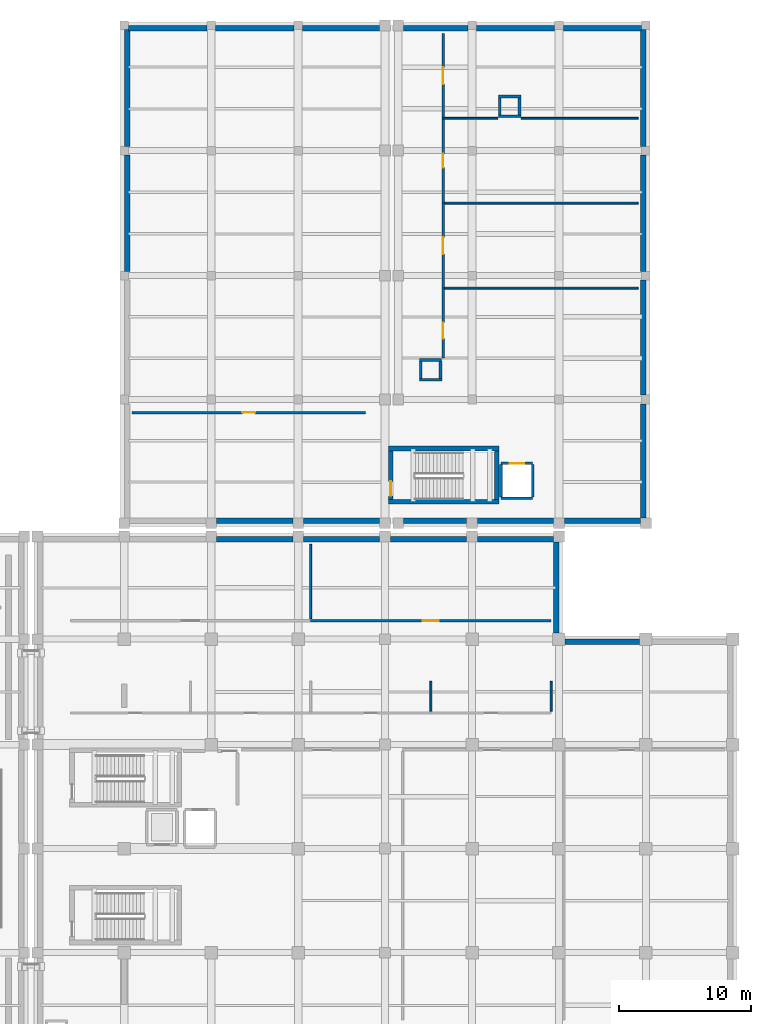
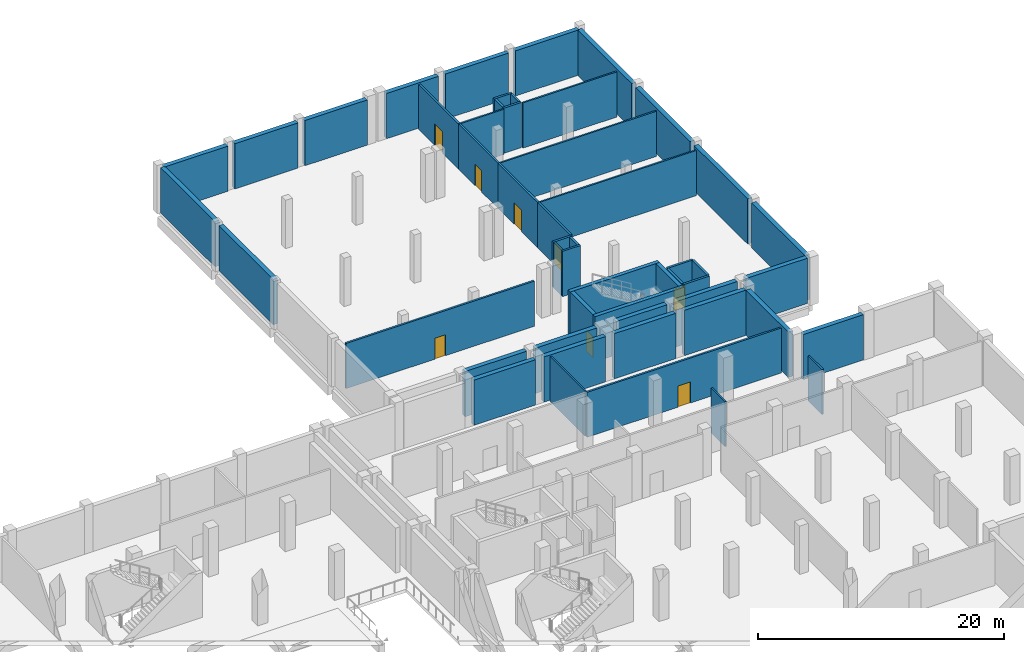
# One storey, part 18 of 31: 52 walls, 8 doors, 8 openings.
"""IFC4 building model written with IfcOpenShell, lengths in metres."""

from ifc_helpers import new_model, si_unit, direction, frame, frame_2d, origin, place, context, subcontext, project, spatial, rectangle, extrude, material, layer, layer_set, type_object, element, fill, save


model = new_model("IFC4")

# Units and contexts
model_context = context("Model", 3, precision=1e-05, world=origin(), true_north=direction((0.0, 1.0)))
body_context = subcontext(model_context, "Body", "Model", "MODEL_VIEW")
ifc_project = project(units=[si_unit("LENGTHUNIT", "METRE"), si_unit("AREAUNIT", "SQUARE_METRE"), si_unit("VOLUMEUNIT", "CUBIC_METRE"), si_unit("PLANEANGLEUNIT", "RADIAN"), si_unit("MASSUNIT", "GRAM", prefix="KILO")], contexts=[model_context])

# Site, building, storey
site_placement = place(None, origin())
site = spatial("IfcSite", under=ifc_project, at=site_placement, CompositionType="ELEMENT")
building_placement = place(site_placement, origin())
building = spatial("IfcBuilding", under=site, at=building_placement, Name="Kelarvand Opera House", CompositionType="ELEMENT")
storey_placement = place(building_placement, frame((0.0, 0.0, -4.800048828125)))
storey = spatial("IfcBuildingStorey", under=building, at=storey_placement, Name="B1", CompositionType="ELEMENT", Elevation=-4.800048828125)

# Walls
ifc_material_1 = material(Name="Acoustic double-stud gypsum partition")
ifc_layer_1 = layer(ifc_material_1, 0.14990234375, Name="Acoustic double-stud gypsum partition")
ifc_layer_set_1 = layer_set([ifc_layer_1], Name="Acoustic double-stud gypsum partition")
wall_type_1 = type_object("IfcWallType", Name="Acoustic Room Partition Wall 150", PredefinedType="PARTITIONING", material=ifc_layer_set_1)
for number, where, z_axis, x_axis, name in (
    (1, (118.875, 72.93994140625, 0.0), (0.0, 0.0, 1.0), (0.0, 1.0, 0.0), "V1 B1 Partition Wall IW-150 (158)"),
    (2, (128.0, 72.93994140625, 0.0), (0.0, 0.0, 1.0), (0.0, 1.0, 0.0), "V1 B1 Partition Wall IW-150 (159)"),
):
    element("IfcWall", number, at=place(storey_placement, frame(where, z_axis=z_axis, x_axis=x_axis)), inside=storey, type_object=wall_type_1, Name=name, PredefinedType="PARTITIONING", context=body_context, shape_type="SweptSolid", body=[
        extrude(rectangle(XDim=2.260009765625, YDim=0.14990234375, at=frame_2d((1.1298828125, 0.0))), origin(), (0.0, 0.0, 1.0), 4.47216796875),
    ])
wall_1_placement = place(storey_placement, frame((109.75, 79.93994140625, 0.0), z_axis=(0.0, 0.0, 1.0), x_axis=(0.0, 1.0, 0.0)))
element("IfcWall", 3, at=wall_1_placement, inside=storey, type_object=wall_type_1, Name="V1 B1 Partition Wall IW-150 (167)", PredefinedType="PARTITIONING", context=body_context, shape_type="SweptSolid", body=[
    extrude(rectangle(XDim=5.66015625, YDim=0.14990234375, at=frame_2d((2.830078125, 0.0))), origin(), (0.0, 0.0, 1.0), 4.47216796875),
])
for number, where, z_axis, x_axis, name in (
    (4, (119.800048828125, 105.050048828125, 0.0), (0.0, 0.0, 1.0), (1.0, 0.0, 0.0), "V5 B1 Partition Wall IW-150 (198)"),
    (5, (119.800048828125, 111.5, 0.0), (0.0, 0.0, 1.0), (1.0, 0.0, 0.0), "V5 B1 Partition Wall IW-150 (200)"),
):
    element("IfcWall", number, at=place(storey_placement, frame(where, z_axis=z_axis, x_axis=x_axis)), inside=storey, type_object=wall_type_1, Name=name, PredefinedType="PARTITIONING", context=body_context, shape_type="SweptSolid", body=[
        extrude(rectangle(XDim=14.800048828125, YDim=0.14990234375, at=frame_2d((7.39990234375, 0.0))), origin(), (0.0, 0.0, 1.0), 4.491943359375),
    ])
wall_2_placement = place(storey_placement, frame((119.800048828125, 117.949951171875, 0.0), z_axis=(0.0, 0.0, 1.0), x_axis=(1.0, 0.0, 0.0)))
element("IfcWall", 6, at=wall_2_placement, inside=storey, type_object=wall_type_1, Name="V5 B1 Partition Wall IW-150 (202)", PredefinedType="PARTITIONING", context=body_context, shape_type="SweptSolid", body=[
    extrude(rectangle(XDim=4.159912109375, YDim=0.14990234375, at=frame_2d((2.080078125, 0.0))), origin(), (0.0, 0.0, 1.0), 4.491943359375),
])
wall_3_placement = place(storey_placement, frame((125.739990234375, 117.949951171875, 0.0), z_axis=(0.0, 0.0, 1.0), x_axis=(1.0, 0.0, 0.0)))
element("IfcWall", 7, at=wall_3_placement, inside=storey, type_object=wall_type_1, Name="V5 B1 Partition Wall IW-150 (203)", PredefinedType="PARTITIONING", context=body_context, shape_type="SweptSolid", body=[
    extrude(rectangle(XDim=8.860107421875, YDim=0.14990234375, at=frame_2d((4.43017578125, 0.0))), origin(), (0.0, 0.0, 1.0), 4.491943359375),
])
ifc_material_2 = material(Name="Concrete C35/45", Category="concrete")
ifc_layer_2 = layer(ifc_material_2, 0.419921875, Name="Concrete C35/45", Category="concrete")
ifc_layer_set_2 = layer_set([ifc_layer_2], Name="Concrete C35/45")
wall_type_2 = type_object("IfcWallType", Name="Basement Perimeter Retaining Wall 420", PredefinedType="SHEAR", material=ifc_layer_set_2)
wall_4_placement = place(storey_placement, frame((102.610107421875, 85.989990234375, 0.0), z_axis=(0.0, 0.0, 1.0), x_axis=(1.0, 0.0, 0.0)))
element("IfcWall", 8, at=wall_4_placement, inside=storey, type_object=wall_type_2, Name="V1 B1 Retaining Wall 43", PredefinedType="SHEAR", context=body_context, shape_type="SweptSolid", body=[
    extrude(rectangle(XDim=5.77978515625, YDim=0.419921875, at=frame_2d((2.889892578125, 0.0))), origin(), (0.0, 0.0, 1.0), 4.5),
])
for number, where, z_axis, x_axis, name in (
    (9, (109.2099609375, 85.989990234375, 0.0), (0.0, 0.0, 1.0), (1.0, 0.0, 0.0), "V1 B1 Retaining Wall 44"),
    (10, (115.81005859375, 85.989990234375, 0.0), (0.0, 0.0, 1.0), (1.0, 0.0, 0.0), "V1 B1 Retaining Wall 45"),
    (11, (122.409912109375, 85.989990234375, 0.0), (0.0, 0.0, 1.0), (1.0, 0.0, 0.0), "V1 B1 Retaining Wall 46"),
):
    element("IfcWall", number, at=place(storey_placement, frame(where, z_axis=z_axis, x_axis=x_axis)), inside=storey, type_object=wall_type_2, Name=name, PredefinedType="SHEAR", context=body_context, shape_type="SweptSolid", body=[
        extrude(rectangle(XDim=5.780029296875, YDim=0.419921875, at=frame_2d((2.89013671875, 0.0))), origin(), (0.0, 0.0, 1.0), 4.5),
    ])
wall_5_placement = place(storey_placement, frame((128.389892578125, 85.7900390625, 0.0), z_axis=(0.0, 0.0, 1.0), x_axis=(0.0, -1.0, 0.0)))
element("IfcWall", 12, at=wall_5_placement, inside=storey, type_object=wall_type_2, Name="V1 B1 Retaining Wall 47", PredefinedType="SHEAR", context=body_context, shape_type="SweptSolid", body=[
    extrude(rectangle(XDim=6.9150390625, YDim=0.419921875, at=frame_2d((3.45751953125, 0.0))), origin(), (0.0, 0.0, 1.0), 4.5),
])
wall_6_placement = place(storey_placement, frame((129.074951171875, 78.18994140625, 0.0), z_axis=(0.0, 0.0, 1.0), x_axis=(1.0, 0.0, 0.0)))
element("IfcWall", 13, at=wall_6_placement, inside=storey, type_object=wall_type_2, Name="V1 B1 Retaining Wall 48", PredefinedType="SHEAR", context=body_context, shape_type="SweptSolid", body=[
    extrude(rectangle(XDim=5.650146484375, YDim=0.419921875, at=frame_2d((2.8251953125, 0.0))), origin(), (0.0, 0.0, 1.0), 4.5),
])
for number, where, z_axis, x_axis, name in (
    (14, (134.989990234375, 124.675048828125, 0.0), (0.0, 0.0, 1.0), (0.0, -1.0, 0.0), "V5 B1 Retaining Wall 575"),
    (15, (134.989990234375, 115.175048828125, 0.0), (0.0, 0.0, 1.0), (0.0, -1.0, 0.0), "V5 B1 Retaining Wall 576"),
):
    element("IfcWall", number, at=place(storey_placement, frame(where, z_axis=z_axis, x_axis=x_axis)), inside=storey, type_object=wall_type_2, Name=name, PredefinedType="SHEAR", context=body_context, shape_type="SweptSolid", body=[
        extrude(rectangle(XDim=8.85009765625, YDim=0.419921875, at=frame_2d((4.425048828125, 0.0))), origin(), (0.0, 0.0, 1.0), 4.5),
    ])
wall_7_placement = place(storey_placement, frame((134.989990234375, 105.675048828125, 0.0), z_axis=(0.0, 0.0, 1.0), x_axis=(0.0, -1.0, 0.0)))
element("IfcWall", 16, at=wall_7_placement, inside=storey, type_object=wall_type_2, Name="V5 B1 Retaining Wall 577", PredefinedType="SHEAR", context=body_context, shape_type="SweptSolid", body=[
    extrude(rectangle(XDim=8.75, YDim=0.419921875, at=frame_2d((4.375, 0.0))), origin(), (0.0, 0.0, 1.0), 4.5),
])
wall_8_placement = place(storey_placement, frame((134.989990234375, 96.27490234375, 0.0), z_axis=(0.0, 0.0, 1.0), x_axis=(0.0, -1.0, 0.0)))
element("IfcWall", 17, at=wall_8_placement, inside=storey, type_object=wall_type_2, Name="V5 B1 Retaining Wall 578", PredefinedType="SHEAR", context=body_context, shape_type="SweptSolid", body=[
    extrude(rectangle(XDim=8.664794921875, YDim=0.419921875, at=frame_2d((4.33251953125, 0.0))), origin(), (0.0, 0.0, 1.0), 4.5),
])
wall_9_placement = place(storey_placement, frame((95.925048828125, 124.7900390625, 0.0), z_axis=(0.0, 0.0, 1.0), x_axis=(1.0, 0.0, 0.0)))
element("IfcWall", 18, at=wall_9_placement, inside=storey, type_object=wall_type_2, Name="V5 B1 Retaining Wall 579", PredefinedType="SHEAR", context=body_context, shape_type="SweptSolid", body=[
    extrude(rectangle(XDim=5.949951171875, YDim=0.419921875, at=frame_2d((2.97509765625, 0.0))), origin(), (0.0, 0.0, 1.0), 4.5),
])
wall_10_placement = place(storey_placement, frame((102.52490234375, 124.7900390625, 0.0), z_axis=(0.0, 0.0, 1.0), x_axis=(1.0, 0.0, 0.0)))
element("IfcWall", 19, at=wall_10_placement, inside=storey, type_object=wall_type_2, Name="V5 B1 Retaining Wall 580", PredefinedType="SHEAR", context=body_context, shape_type="SweptSolid", body=[
    extrude(rectangle(XDim=5.9501953125, YDim=0.419921875, at=frame_2d((2.97509765625, 0.0))), origin(), (0.0, 0.0, 1.0), 4.5),
])
wall_11_placement = place(storey_placement, frame((109.125, 124.7900390625, 0.0), z_axis=(0.0, 0.0, 1.0), x_axis=(1.0, 0.0, 0.0)))
element("IfcWall", 20, at=wall_11_placement, inside=storey, type_object=wall_type_2, Name="V5 B1 Retaining Wall 581", PredefinedType="SHEAR", context=body_context, shape_type="SweptSolid", body=[
    extrude(rectangle(XDim=5.864990234375, YDim=0.419921875, at=frame_2d((2.9326171875, 0.0))), origin(), (0.0, 0.0, 1.0), 4.5),
])
wall_12_placement = place(storey_placement, frame((116.81005859375, 124.7900390625, 0.0), z_axis=(0.0, 0.0, 1.0), x_axis=(1.0, 0.0, 0.0)))
element("IfcWall", 21, at=wall_12_placement, inside=storey, type_object=wall_type_2, Name="V5 B1 Retaining Wall 582", PredefinedType="SHEAR", context=body_context, shape_type="SweptSolid", body=[
    extrude(rectangle(XDim=4.864990234375, YDim=0.419921875, at=frame_2d((2.4326171875, 0.0))), origin(), (0.0, 0.0, 1.0), 4.5),
])
for number, where, z_axis, x_axis, name in (
    (22, (122.324951171875, 124.7900390625, 0.0), (0.0, 0.0, 1.0), (1.0, 0.0, 0.0), "V5 B1 Retaining Wall 583"),
    (23, (128.925048828125, 124.7900390625, 0.0), (0.0, 0.0, 1.0), (1.0, 0.0, 0.0), "V5 B1 Retaining Wall 584"),
):
    element("IfcWall", number, at=place(storey_placement, frame(where, z_axis=z_axis, x_axis=x_axis)), inside=storey, type_object=wall_type_2, Name=name, PredefinedType="SHEAR", context=body_context, shape_type="SweptSolid", body=[
        extrude(rectangle(XDim=5.949951171875, YDim=0.419921875, at=frame_2d((2.97509765625, 0.0))), origin(), (0.0, 0.0, 1.0), 4.5),
    ])
for number, where, z_axis, x_axis, name in (
    (24, (95.81005859375, 106.324951171875, 0.0), (0.0, 0.0, 1.0), (0.0, 1.0, 0.0), "V5 B1 Retaining Wall 587"),
    (25, (95.81005859375, 115.824951171875, 0.0), (0.0, 0.0, 1.0), (0.0, 1.0, 0.0), "V5 B1 Retaining Wall 588"),
):
    element("IfcWall", number, at=place(storey_placement, frame(where, z_axis=z_axis, x_axis=x_axis)), inside=storey, type_object=wall_type_2, Name=name, PredefinedType="SHEAR", context=body_context, shape_type="SweptSolid", body=[
        extrude(rectangle(XDim=8.85009765625, YDim=0.419921875, at=frame_2d((4.425048828125, 0.0))), origin(), (0.0, 0.0, 1.0), 4.5),
    ])
for number, where, z_axis, x_axis, name in (
    (26, (134.7900390625, 87.409912109375, 0.0), (0.0, 0.0, 1.0), (-1.0, 0.0, 0.0), "V5 B1 Retaining Wall 589"),
    (27, (128.18994140625, 87.409912109375, 0.0), (0.0, 0.0, 1.0), (-1.0, 0.0, 0.0), "V5 B1 Retaining Wall 590"),
):
    element("IfcWall", number, at=place(storey_placement, frame(where, z_axis=z_axis, x_axis=x_axis)), inside=storey, type_object=wall_type_2, Name=name, PredefinedType="SHEAR", context=body_context, shape_type="SweptSolid", body=[
        extrude(rectangle(XDim=5.780029296875, YDim=0.419921875, at=frame_2d((2.89013671875, 0.0))), origin(), (0.0, 0.0, 1.0), 4.5),
    ])
wall_13_placement = place(storey_placement, frame((121.590087890625, 87.409912109375, 0.0), z_axis=(0.0, 0.0, 1.0), x_axis=(-1.0, 0.0, 0.0)))
element("IfcWall", 28, at=wall_13_placement, inside=storey, type_object=wall_type_2, Name="V5 B1 Retaining Wall 591", PredefinedType="SHEAR", context=body_context, shape_type="SweptSolid", body=[
    extrude(rectangle(XDim=4.780029296875, YDim=0.419921875, at=frame_2d((2.39013671875, 0.0))), origin(), (0.0, 0.0, 1.0), 4.5),
])
wall_14_placement = place(storey_placement, frame((114.989990234375, 87.409912109375, 0.0), z_axis=(0.0, 0.0, 1.0), x_axis=(-1.0, 0.0, 0.0)))
element("IfcWall", 29, at=wall_14_placement, inside=storey, type_object=wall_type_2, Name="V5 B1 Retaining Wall 592", PredefinedType="SHEAR", context=body_context, shape_type="SweptSolid", body=[
    extrude(rectangle(XDim=5.780029296875, YDim=0.419921875, at=frame_2d((2.89013671875, 0.0))), origin(), (0.0, 0.0, 1.0), 4.5),
])
wall_15_placement = place(storey_placement, frame((108.389892578125, 87.409912109375, 0.0), z_axis=(0.0, 0.0, 1.0), x_axis=(-1.0, 0.0, 0.0)))
element("IfcWall", 30, at=wall_15_placement, inside=storey, type_object=wall_type_2, Name="V5 B1 Retaining Wall 593", PredefinedType="SHEAR", context=body_context, shape_type="SweptSolid", body=[
    extrude(rectangle(XDim=5.77978515625, YDim=0.419921875, at=frame_2d((2.889892578125, 0.0))), origin(), (0.0, 0.0, 1.0), 4.5),
])
ifc_material_3 = material(Name="Concrete C40/50", Category="concrete")
ifc_layer_3 = layer(ifc_material_3, 0.35009765625, Name="Concrete C40/50", Category="concrete")
ifc_layer_set_3 = layer_set([ifc_layer_3], Name="Concrete C40/50")
wall_type_3 = type_object("IfcWallType", Name="Core Stair and Lift Shear Wall 350", PredefinedType="SHEAR", material=ifc_layer_set_3)
for number, where, z_axis, x_axis, name in (
    (31, (115.64990234375, 88.824951171875, 0.0), (0.0, 0.0, 1.0), (1.0, 0.0, 0.0), "C7 Stair Core Shear Wall S B1"),
    (32, (124.050048828125, 92.875, 0.0), (0.0, 0.0, 1.0), (-1.0, 0.0, 0.0), "C7 Stair Core Shear Wall N B1"),
):
    element("IfcWall", number, at=place(storey_placement, frame(where, z_axis=z_axis, x_axis=x_axis)), inside=storey, type_object=wall_type_3, Name=name, PredefinedType="SHEAR", context=body_context, shape_type="SweptSolid", body=[
        extrude(rectangle(XDim=8.400146484375, YDim=0.35009765625, at=frame_2d((4.2001953125, 0.0))), origin(), (0.0, 0.0, 1.0), 4.5),
    ])

# Wall, opening, door
wall_16_placement = place(storey_placement, frame((115.824951171875, 89.0, 0.0), z_axis=(0.0, 0.0, 1.0), x_axis=(0.0, 1.0, 0.0)))
wall_16 = element("IfcWall", 33, at=wall_16_placement, inside=storey, type_object=wall_type_3, Name="C7 Stair Core Shear Wall W B1", PredefinedType="SHEAR", context=body_context, shape_type="SweptSolid", body=[
    extrude(rectangle(XDim=3.699951171875, YDim=0.35009765625, at=frame_2d((1.85009765625, 0.0))), origin(), (0.0, 0.0, 1.0), 4.5),
])
opening_1_placement = place(wall_16_placement, frame((0.280029296875, 0.0, 0.0)))
opening_1 = element("IfcOpeningElement", 34, at=opening_1_placement, cuts=wall_16, Name="Opening FD-01", PredefinedType="OPENING", context=body_context, shape_type="SweptSolid", body=[
    extrude(rectangle(XDim=1.10009765625, YDim=2.080078125, at=frame_2d((0.550048828125, 1.0400390625))), frame((0.0, 0.18505859375, 0.0), z_axis=(0.0, -1.0, 0.0), x_axis=(1.0, 0.0, 0.0)), (0.0, 0.0, 1.0), 0.3701171875),
])
ifc_material_4 = material(Name="Fire-rated brushed stainless steel", Category="steel")
door_type_1 = type_object("IfcDoorType", Name="Steel Fire-Rated Stair and FF Lobby Door 1100x2080", OperationType="NOTDEFINED", PredefinedType="DOOR", material=ifc_material_4)
door_1_placement = place(opening_1_placement, origin())
door_1 = element("IfcDoor", 35, at=door_1_placement, inside=storey, type_object=door_type_1, Name="C7 Stair ST-07 Fire Door B1", OperationType="SINGLE_SWING_RIGHT", OverallHeight=2.080078125, OverallWidth=1.10009765625, PredefinedType="DOOR", context=body_context, shape_type="SweptSolid", body=[
    extrude(rectangle(XDim=1.10009765625, YDim=2.080078125, at=frame_2d((0.550048828125, 1.0400390625))), frame((0.0, 0.02490234375, 0.0), z_axis=(0.0, -1.0, 0.0), x_axis=(1.0, 0.0, 0.0)), (0.0, 0.0, 1.0), 0.050048828125),
])
fill(opening_1, door_1)

# Wall
wall_17_placement = place(storey_placement, frame((123.875, 92.699951171875, 0.0), z_axis=(0.0, 0.0, 1.0), x_axis=(0.0, -1.0, 0.0)))
element("IfcWall", 36, at=wall_17_placement, inside=storey, type_object=wall_type_3, Name="C7 Stair Core Shear Wall E B1", PredefinedType="SHEAR", context=body_context, shape_type="SweptSolid", body=[
    extrude(rectangle(XDim=3.699951171875, YDim=0.35009765625, at=frame_2d((1.85009765625, 0.0))), origin(), (0.0, 0.0, 1.0), 4.5),
])

# Wall, opening, door
ifc_layer_4 = layer(ifc_material_2, 0.179931640625, Name="Concrete C35/45", Category="concrete")
ifc_layer_set_4 = layer_set([ifc_layer_4], Name="Concrete C35/45")
wall_type_4 = type_object("IfcWallType", Name="Corridor Fire-Rated Partition Wall 180 EI90", PredefinedType="PARTITIONING", material=ifc_layer_set_4)
wall_18_placement = place(storey_placement, frame((109.75, 79.800048828125, 0.0), z_axis=(0.0, 0.0, 1.0), x_axis=(1.0, 0.0, 0.0)))
wall_18 = element("IfcWall", 37, at=wall_18_placement, inside=storey, type_object=wall_type_4, Name="V1 B1 Partition Wall IW-90 (168)", PredefinedType="PARTITIONING", context=body_context, shape_type="SweptSolid", body=[
    extrude(rectangle(XDim=18.25, YDim=0.179931640625, at=frame_2d((9.125, 0.0))), origin(), (0.0, 0.0, 1.0), 4.47216796875),
])
opening_2_placement = place(wall_18_placement, frame((8.52490234375, 0.0, 0.0)))
opening_2 = element("IfcOpeningElement", 38, at=opening_2_placement, cuts=wall_18, Name="Opening D-06", PredefinedType="OPENING", context=body_context, shape_type="SweptSolid", body=[
    extrude(rectangle(XDim=1.199951171875, YDim=2.10009765625, at=frame_2d((0.60009765625, 1.050048828125))), frame((0.0, 0.10009765625, 0.0), z_axis=(0.0, -1.0, 0.0), x_axis=(1.0, 0.0, 0.0)), (0.0, 0.0, 1.0), 0.199951171875),
])
ifc_material_5 = material(Name="Acoustic walnut-veneered hardwood", Category="wood")
door_type_2 = type_object("IfcDoorType", Name="Accessible Suite Timber Door 1200x2100", OperationType="NOTDEFINED", PredefinedType="DOOR", material=ifc_material_5)
door_2_placement = place(opening_2_placement, origin())
door_2 = element("IfcDoor", 39, at=door_2_placement, inside=storey, type_object=door_type_2, Name="V1 B1 Door D-06 (69)", OperationType="SINGLE_SWING_RIGHT", OverallHeight=2.10009765625, OverallWidth=1.199951171875, PredefinedType="DOOR", context=body_context, shape_type="SweptSolid", body=[
    extrude(rectangle(XDim=1.199951171875, YDim=2.10009765625, at=frame_2d((0.60009765625, 1.050048828125))), frame((0.0, 0.02490234375, 0.0), z_axis=(0.0, -1.0, 0.0), x_axis=(1.0, 0.0, 0.0)), (0.0, 0.0, 1.0), 0.050048828125),
])
fill(opening_2, door_2)

wall_19_placement = place(storey_placement, frame((119.800048828125, 99.739990234375, 0.0), z_axis=(0.0, 0.0, 1.0), x_axis=(0.0, 1.0, 0.0)))
wall_19 = element("IfcWall", 40, at=wall_19_placement, inside=storey, type_object=wall_type_4, Name="V5 B1 Partition Wall IW-90 (197)", PredefinedType="PARTITIONING", context=body_context, shape_type="SweptSolid", body=[
    extrude(rectangle(XDim=5.31005859375, YDim=0.179931640625, at=frame_2d((2.655029296875, 0.0))), origin(), (0.0, 0.0, 1.0), 4.491943359375),
])
opening_3_placement = place(wall_19_placement, frame((1.485107421875, 0.0, 0.0)))
opening_3 = element("IfcOpeningElement", 41, at=opening_3_placement, cuts=wall_19, Name="Opening D-06", PredefinedType="OPENING", context=body_context, shape_type="SweptSolid", body=[
    extrude(rectangle(XDim=1.199951171875, YDim=2.10009765625, at=frame_2d((0.60009765625, 1.050048828125))), frame((0.0, 0.10009765625, 0.0), z_axis=(0.0, -1.0, 0.0), x_axis=(1.0, 0.0, 0.0)), (0.0, 0.0, 1.0), 0.199951171875),
])
door_3_placement = place(opening_3_placement, origin())
door_3 = element("IfcDoor", 42, at=door_3_placement, inside=storey, type_object=door_type_2, Name="V5 B1 Door D-06 (85)", OperationType="SINGLE_SWING_RIGHT", OverallHeight=2.10009765625, OverallWidth=1.199951171875, PredefinedType="DOOR", context=body_context, shape_type="SweptSolid", body=[
    extrude(rectangle(XDim=1.199951171875, YDim=2.10009765625, at=frame_2d((0.60009765625, 1.050048828125))), frame((0.0, 0.02490234375, 0.0), z_axis=(0.0, -1.0, 0.0), x_axis=(1.0, 0.0, 0.0)), (0.0, 0.0, 1.0), 0.050048828125),
])
fill(opening_3, door_3)

wall_20_placement = place(storey_placement, frame((119.800048828125, 105.050048828125, 0.0), z_axis=(0.0, 0.0, 1.0), x_axis=(0.0, 1.0, 0.0)))
wall_20 = element("IfcWall", 43, at=wall_20_placement, inside=storey, type_object=wall_type_4, Name="V5 B1 Partition Wall IW-90 (199)", PredefinedType="PARTITIONING", context=body_context, shape_type="SweptSolid", body=[
    extrude(rectangle(XDim=6.449951171875, YDim=0.179931640625, at=frame_2d((3.22509765625, 0.0))), origin(), (0.0, 0.0, 1.0), 4.491943359375),
])
opening_4_placement = place(wall_20_placement, frame((2.5849609375, 0.0, 0.0)))
opening_4 = element("IfcOpeningElement", 44, at=opening_4_placement, cuts=wall_20, Name="Opening D-11", PredefinedType="OPENING", context=body_context, shape_type="SweptSolid", body=[
    extrude(rectangle(XDim=1.280029296875, YDim=2.139892578125, at=frame_2d((0.64013671875, 1.06982421875))), frame((0.0, 0.10009765625, 0.0), z_axis=(0.0, -1.0, 0.0), x_axis=(1.0, 0.0, 0.0)), (0.0, 0.0, 1.0), 0.199951171875),
])
door_type_3 = type_object("IfcDoorType", Name="Instrument Store Leaf-and-Half Door 1280x2140", OperationType="NOTDEFINED", PredefinedType="DOOR", material=ifc_material_5)
door_4_placement = place(opening_4_placement, origin())
door_4 = element("IfcDoor", 45, at=door_4_placement, inside=storey, type_object=door_type_3, Name="V5 B1 Door D-11 (86)", OperationType="SINGLE_SWING_LEFT", OverallHeight=2.139892578125, OverallWidth=1.280029296875, PredefinedType="DOOR", context=body_context, shape_type="SweptSolid", body=[
    extrude(rectangle(XDim=1.280029296875, YDim=2.139892578125, at=frame_2d((0.64013671875, 1.06982421875))), frame((0.0, 0.02490234375, 0.0), z_axis=(0.0, -1.0, 0.0), x_axis=(1.0, 0.0, 0.0)), (0.0, 0.0, 1.0), 0.050048828125),
])
fill(opening_4, door_4)

wall_21_placement = place(storey_placement, frame((119.800048828125, 111.5, 0.0), z_axis=(0.0, 0.0, 1.0), x_axis=(0.0, 1.0, 0.0)))
wall_21 = element("IfcWall", 46, at=wall_21_placement, inside=storey, type_object=wall_type_4, Name="V5 B1 Partition Wall IW-90 (201)", PredefinedType="PARTITIONING", context=body_context, shape_type="SweptSolid", body=[
    extrude(rectangle(XDim=6.449951171875, YDim=0.179931640625, at=frame_2d((3.22509765625, 0.0))), origin(), (0.0, 0.0, 1.0), 4.491943359375),
])
opening_5_placement = place(wall_21_placement, frame((2.699951171875, 0.0, 0.0)))
opening_5 = element("IfcOpeningElement", 47, at=opening_5_placement, cuts=wall_21, Name="Opening D-02", PredefinedType="OPENING", context=body_context, shape_type="SweptSolid", body=[
    extrude(rectangle(XDim=1.050048828125, YDim=2.10009765625, at=frame_2d((0.52490234375, 1.050048828125))), frame((0.0, 0.10009765625, 0.0), z_axis=(0.0, -1.0, 0.0), x_axis=(1.0, 0.0, 0.0)), (0.0, 0.0, 1.0), 0.199951171875),
])
door_type_4 = type_object("IfcDoorType", Name="Acoustic Studio Single Door 1050x2100", OperationType="NOTDEFINED", PredefinedType="DOOR", material=ifc_material_5)
door_5_placement = place(opening_5_placement, origin())
door_5 = element("IfcDoor", 48, at=door_5_placement, inside=storey, type_object=door_type_4, Name="V5 B1 Door D-02 (87)", OperationType="SINGLE_SWING_RIGHT", OverallHeight=2.10009765625, OverallWidth=1.050048828125, PredefinedType="DOOR", context=body_context, shape_type="SweptSolid", body=[
    extrude(rectangle(XDim=1.050048828125, YDim=2.10009765625, at=frame_2d((0.52490234375, 1.050048828125))), frame((0.0, 0.02490234375, 0.0), z_axis=(0.0, -1.0, 0.0), x_axis=(1.0, 0.0, 0.0)), (0.0, 0.0, 1.0), 0.050048828125),
])
fill(opening_5, door_5)

wall_22_placement = place(storey_placement, frame((119.800048828125, 117.949951171875, 0.0), z_axis=(0.0, 0.0, 1.0), x_axis=(0.0, 1.0, 0.0)))
wall_22 = element("IfcWall", 49, at=wall_22_placement, inside=storey, type_object=wall_type_4, Name="V5 B1 Partition Wall IW-90 (204)", PredefinedType="PARTITIONING", context=body_context, shape_type="SweptSolid", body=[
    extrude(rectangle(XDim=6.449951171875, YDim=0.179931640625, at=frame_2d((3.22509765625, 0.0))), origin(), (0.0, 0.0, 1.0), 4.491943359375),
])
opening_6_placement = place(wall_22_placement, frame((2.5849609375, 0.0, 0.0)))
opening_6 = element("IfcOpeningElement", 50, at=opening_6_placement, cuts=wall_22, Name="Opening D-11", PredefinedType="OPENING", context=body_context, shape_type="SweptSolid", body=[
    extrude(rectangle(XDim=1.280029296875, YDim=2.139892578125, at=frame_2d((0.64013671875, 1.06982421875))), frame((0.0, 0.10009765625, 0.0), z_axis=(0.0, -1.0, 0.0), x_axis=(1.0, 0.0, 0.0)), (0.0, 0.0, 1.0), 0.199951171875),
])
door_6_placement = place(opening_6_placement, origin())
door_6 = element("IfcDoor", 51, at=door_6_placement, inside=storey, type_object=door_type_3, Name="V5 B1 Door D-11 (88)", OperationType="SINGLE_SWING_LEFT", OverallHeight=2.139892578125, OverallWidth=1.280029296875, PredefinedType="DOOR", context=body_context, shape_type="SweptSolid", body=[
    extrude(rectangle(XDim=1.280029296875, YDim=2.139892578125, at=frame_2d((0.64013671875, 1.06982421875))), frame((0.0, 0.02490234375, 0.0), z_axis=(0.0, -1.0, 0.0), x_axis=(1.0, 0.0, 0.0)), (0.0, 0.0, 1.0), 0.050048828125),
])
fill(opening_6, door_6)

wall_23_placement = place(storey_placement, frame((96.199951171875, 95.60009765625, 0.0), z_axis=(0.0, 0.0, 1.0), x_axis=(1.0, 0.0, 0.0)))
wall_23 = element("IfcWall", 52, at=wall_23_placement, inside=storey, type_object=wall_type_4, Name="V5 B1 Partition Wall IW-90 (205)", PredefinedType="PARTITIONING", context=body_context, shape_type="SweptSolid", body=[
    extrude(rectangle(XDim=17.699951171875, YDim=0.179931640625, at=frame_2d((8.85009765625, 0.0))), origin(), (0.0, 0.0, 1.0), 4.491943359375),
])
opening_7_placement = place(wall_23_placement, frame((8.360107421875, 0.0, 0.0)))
opening_7 = element("IfcOpeningElement", 53, at=opening_7_placement, cuts=wall_23, Name="Opening D-09", PredefinedType="OPENING", context=body_context, shape_type="SweptSolid", body=[
    extrude(rectangle(XDim=0.97998046875, YDim=2.080078125, at=frame_2d((0.489990234375, 1.0400390625))), frame((0.0, 0.10009765625, 0.0), z_axis=(0.0, -1.0, 0.0), x_axis=(1.0, 0.0, 0.0)), (0.0, 0.0, 1.0), 0.199951171875),
])
door_type_5 = type_object("IfcDoorType", Name="Soloist Acoustic Timber Door 980x2080", OperationType="NOTDEFINED", PredefinedType="DOOR", material=ifc_material_5)
door_7_placement = place(opening_7_placement, origin())
door_7 = element("IfcDoor", 54, at=door_7_placement, inside=storey, type_object=door_type_5, Name="V5 B1 Door D-09 (89)", OperationType="SINGLE_SWING_RIGHT", OverallHeight=2.080078125, OverallWidth=0.97998046875, PredefinedType="DOOR", context=body_context, shape_type="SweptSolid", body=[
    extrude(rectangle(XDim=0.97998046875, YDim=2.080078125, at=frame_2d((0.489990234375, 1.0400390625))), frame((0.0, 0.02490234375, 0.0), z_axis=(0.0, -1.0, 0.0), x_axis=(1.0, 0.0, 0.0)), (0.0, 0.0, 1.0), 0.050048828125),
])
fill(opening_7, door_7)

# Walls
ifc_layer_5 = layer(ifc_material_2, 0.199951171875, Name="Concrete C35/45", Category="concrete")
ifc_layer_set_5 = layer_set([ifc_layer_5], Name="Concrete C35/45")
wall_type_5 = type_object("IfcWallType", Name="Lift and Riser Shaft Enclosure Wall 200 EI120", PredefinedType="PARTITIONING", material=ifc_layer_set_5)
for number, where, z_axis, x_axis, name in (
    (55, (124.0, 118.10009765625, 0.0), (0.0, 0.0, 1.0), (1.0, 0.0, 0.0), "RSR-V5B B1 Riser Shaft Wall 69"),
    (56, (125.699951171875, 119.60009765625, 0.0), (0.0, 0.0, 1.0), (-1.0, 0.0, 0.0), "RSR-V5B B1 Riser Shaft Wall 70"),
):
    element("IfcWall", number, at=place(storey_placement, frame(where, z_axis=z_axis, x_axis=x_axis)), inside=storey, type_object=wall_type_5, Name=name, PredefinedType="PARTITIONING", context=body_context, shape_type="SweptSolid", body=[
        extrude(rectangle(XDim=1.699951171875, YDim=0.199951171875, at=frame_2d((0.85009765625, 0.0))), origin(), (0.0, 0.0, 1.0), 4.5),
    ])
for number, where, z_axis, x_axis, name in (
    (57, (124.10009765625, 118.199951171875, 0.0), (0.0, 0.0, 1.0), (0.0, 1.0, 0.0), "RSR-V5B B1 Riser Shaft Wall 71"),
    (58, (125.60009765625, 119.5, 0.0), (0.0, 0.0, 1.0), (0.0, -1.0, 0.0), "RSR-V5B B1 Riser Shaft Wall 72"),
):
    element("IfcWall", number, at=place(storey_placement, frame(where, z_axis=z_axis, x_axis=x_axis)), inside=storey, type_object=wall_type_5, Name=name, PredefinedType="PARTITIONING", context=body_context, shape_type="SweptSolid", body=[
        extrude(rectangle(XDim=1.300048828125, YDim=0.199951171875, at=frame_2d((0.64990234375, 0.0))), origin(), (0.0, 0.0, 1.0), 4.5),
    ])
for number, where, z_axis, x_axis, name in (
    (59, (118.0, 98.10009765625, 0.0), (0.0, 0.0, 1.0), (1.0, 0.0, 0.0), "RSR-V5 B1 Riser Shaft Wall 117"),
    (60, (119.699951171875, 99.60009765625, 0.0), (0.0, 0.0, 1.0), (-1.0, 0.0, 0.0), "RSR-V5 B1 Riser Shaft Wall 118"),
):
    element("IfcWall", number, at=place(storey_placement, frame(where, z_axis=z_axis, x_axis=x_axis)), inside=storey, type_object=wall_type_5, Name=name, PredefinedType="PARTITIONING", context=body_context, shape_type="SweptSolid", body=[
        extrude(rectangle(XDim=1.699951171875, YDim=0.199951171875, at=frame_2d((0.85009765625, 0.0))), origin(), (0.0, 0.0, 1.0), 4.5),
    ])
for number, where, z_axis, x_axis, name in (
    (61, (118.10009765625, 98.199951171875, 0.0), (0.0, 0.0, 1.0), (0.0, 1.0, 0.0), "RSR-V5 B1 Riser Shaft Wall 119"),
    (62, (119.60009765625, 99.5, 0.0), (0.0, 0.0, 1.0), (0.0, -1.0, 0.0), "RSR-V5 B1 Riser Shaft Wall 120"),
):
    element("IfcWall", number, at=place(storey_placement, frame(where, z_axis=z_axis, x_axis=x_axis)), inside=storey, type_object=wall_type_5, Name=name, PredefinedType="PARTITIONING", context=body_context, shape_type="SweptSolid", body=[
        extrude(rectangle(XDim=1.300048828125, YDim=0.199951171875, at=frame_2d((0.64990234375, 0.0))), origin(), (0.0, 0.0, 1.0), 4.5),
    ])
wall_24_placement = place(storey_placement, frame((124.199951171875, 89.10009765625, 0.0), z_axis=(0.0, 0.0, 1.0), x_axis=(1.0, 0.0, 0.0)))
element("IfcWall", 63, at=wall_24_placement, inside=storey, type_object=wall_type_5, Name="V5 B1 Partition Wall SW-200 (135)", PredefinedType="PARTITIONING", context=body_context, shape_type="SweptSolid", body=[
    extrude(rectangle(XDim=2.400146484375, YDim=0.199951171875, at=frame_2d((1.2001953125, 0.0))), origin(), (0.0, 0.0, 1.0), 4.491943359375),
])

# Wall, opening, door
wall_25_placement = place(storey_placement, frame((126.60009765625, 91.75, 0.0), z_axis=(0.0, 0.0, 1.0), x_axis=(-1.0, 0.0, 0.0)))
wall_25 = element("IfcWall", 64, at=wall_25_placement, inside=storey, type_object=wall_type_5, Name="V5 B1 Partition Wall SW-200 (136)", PredefinedType="PARTITIONING", context=body_context, shape_type="SweptSolid", body=[
    extrude(rectangle(XDim=2.400146484375, YDim=0.199951171875, at=frame_2d((1.2001953125, 0.0))), origin(), (0.0, 0.0, 1.0), 4.491943359375),
])
opening_8_placement = place(wall_25_placement, frame((0.64990234375, 0.0, 0.0)))
opening_8 = element("IfcOpeningElement", 65, at=opening_8_placement, cuts=wall_25, Name="Opening LD-01", PredefinedType="OPENING", context=body_context, shape_type="SweptSolid", body=[
    extrude(rectangle(XDim=1.10009765625, YDim=2.14990234375, at=frame_2d((0.550048828125, 1.074951171875))), frame((0.0, 0.10986328125, 0.0), z_axis=(0.0, -1.0, 0.0), x_axis=(1.0, 0.0, 0.0)), (0.0, 0.0, 1.0), 0.219970703125),
])
door_type_6 = type_object("IfcDoorType", Name="Passenger Lift Sliding Landing Door 1100x2150", OperationType="SLIDING_TO_LEFT", PredefinedType="DOOR", material=ifc_material_4)
door_8_placement = place(opening_8_placement, origin())
door_8 = element("IfcDoor", 66, at=door_8_placement, inside=storey, type_object=door_type_6, Name="V5 B1 Door LD-01 (56)", OperationType="SLIDING_TO_LEFT", OverallHeight=2.14990234375, OverallWidth=1.10009765625, PredefinedType="DOOR", context=body_context, shape_type="SweptSolid", body=[
    extrude(rectangle(XDim=1.10009765625, YDim=2.14990234375, at=frame_2d((0.550048828125, 1.074951171875))), frame((0.0, 0.02490234375, 0.0), z_axis=(0.0, -1.0, 0.0), x_axis=(1.0, 0.0, 0.0)), (0.0, 0.0, 1.0), 0.050048828125),
])
fill(opening_8, door_8)

# Walls
for number, where, z_axis, x_axis, name in (
    (67, (124.199951171875, 89.199951171875, 0.0), (0.0, 0.0, 1.0), (0.0, 1.0, 0.0), "V5 B1 Partition Wall SW-200 (137)"),
    (68, (126.60009765625, 91.64990234375, 0.0), (0.0, 0.0, 1.0), (0.0, -1.0, 0.0), "V5 B1 Partition Wall SW-200 (138)"),
):
    element("IfcWall", number, at=place(storey_placement, frame(where, z_axis=z_axis, x_axis=x_axis)), inside=storey, type_object=wall_type_5, Name=name, PredefinedType="PARTITIONING", context=body_context, shape_type="SweptSolid", body=[
        extrude(rectangle(XDim=2.449951171875, YDim=0.199951171875, at=frame_2d((1.22509765625, 0.0))), origin(), (0.0, 0.0, 1.0), 4.491943359375),
    ])

save(model, "model.ifc")
